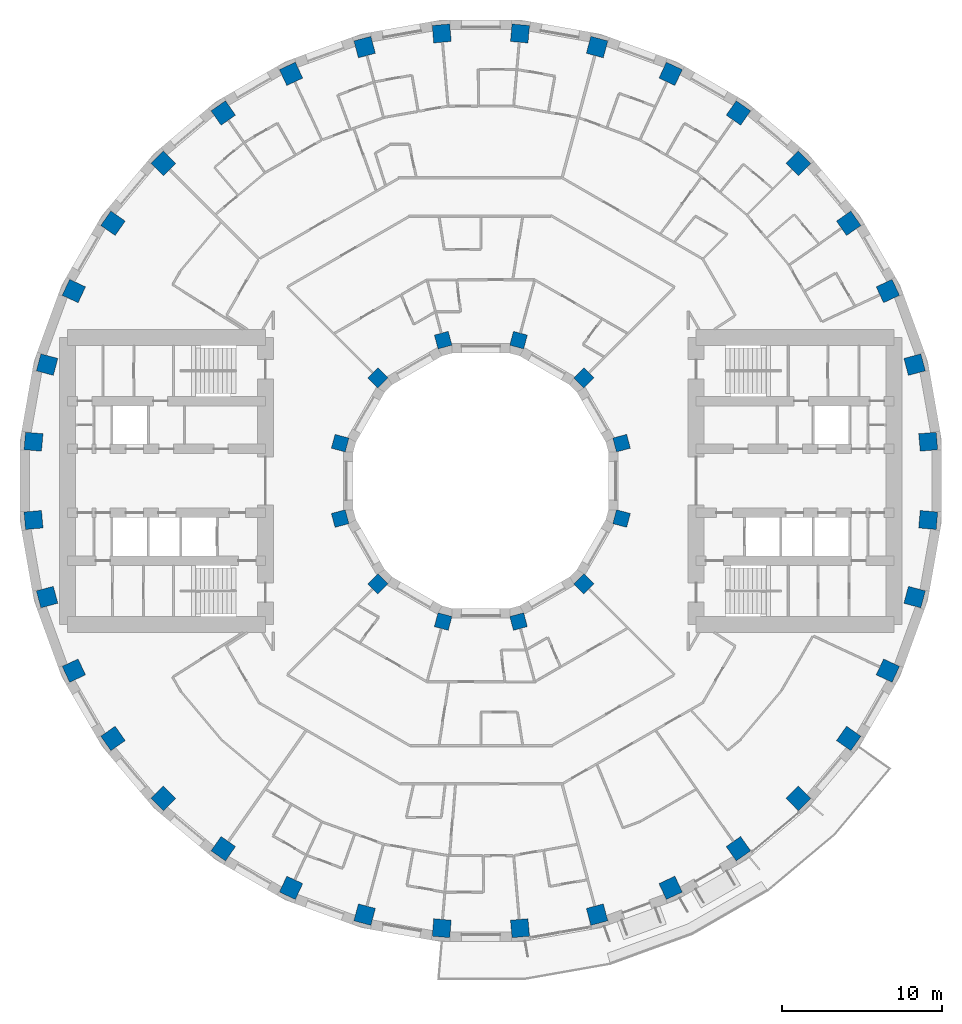
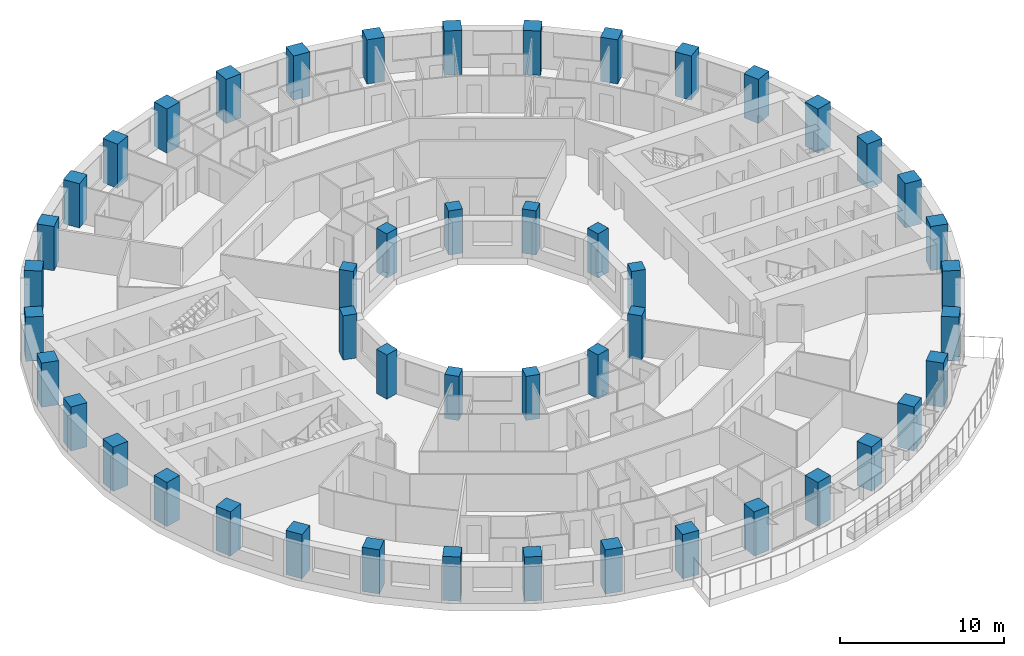
# One storey, part 1 of 17: 48 columns.
"""IFC4 building model written with IfcOpenShell, lengths in metres."""

from ifc_helpers import new_model, si_unit, direction, frame, origin, origin_2d, place, context, subcontext, project, spatial, rectangle, extrude, material, material_profile, profile_set, type_object, element, save


model = new_model("IFC4")

# Units and contexts
model_context = context("Model", 3, precision=1e-05, world=origin(), true_north=direction((0.0, 1.0)))
body_context = subcontext(model_context, "Body", "Model", "MODEL_VIEW")
ifc_project = project(units=[si_unit("LENGTHUNIT", "METRE"), si_unit("AREAUNIT", "SQUARE_METRE"), si_unit("VOLUMEUNIT", "CUBIC_METRE"), si_unit("PLANEANGLEUNIT", "RADIAN"), si_unit("MASSUNIT", "GRAM", prefix="KILO")], contexts=[model_context])

# Site, building, storey
site_placement = place(None, origin())
site = spatial("IfcSite", under=ifc_project, at=site_placement, CompositionType="ELEMENT")
building_placement = place(site_placement, origin())
building = spatial("IfcBuilding", under=site, at=building_placement, Name="Saqina Gate Tower", CompositionType="ELEMENT")
storey_placement = place(building_placement, frame((0.0, 0.0, 29.60009765625)))
storey = spatial("IfcBuildingStorey", under=building, at=storey_placement, Name="L07", CompositionType="ELEMENT", Elevation=29.60009765625)

# Columns
ifc_material_1 = material(Name="Concrete C70/85", Category="concrete")
ifc_material_profile_1 = material_profile(ifc_material_1, rectangle(XDim=0.89990234375, YDim=0.89990234375, at=origin_2d()), Name="RC 900x900")
ifc_profile_set_1 = profile_set([ifc_material_profile_1], Name="Concrete C70/85")
column_type_1 = type_object("IfcColumnType", Name="STR-COL-IN-A", PredefinedType="COLUMN", material=ifc_profile_set_1)
for number, where, z_axis, x_axis, name in (
    (1, (8.821044921875, 2.363525390625, 0.0), (0.0, 0.0, 1.0), (0.965925826289, 0.258819045103, 0.0), "L07-ICL01"),
    (2, (6.45751953125, 6.45751953125, 0.0), (0.0, 0.0, 1.0), (0.707106781187, 0.707106781187, 0.0), "L07-ICL02"),
    (3, (2.363525390625, 8.821044921875, 0.0), (0.0, 0.0, 1.0), (0.258819045103, 0.965925826289, 0.0), "L07-ICL03"),
    (4, (-2.363525390625, 8.821044921875, 0.0), (0.0, 0.0, 1.0), (-0.258819045103, 0.965925826289, 0.0), "L07-ICL04"),
    (5, (-6.45751953125, 6.45751953125, 0.0), (0.0, 0.0, 1.0), (-0.707106781187, 0.707106781187, 0.0), "L07-ICL05"),
    (6, (-8.821044921875, 2.363525390625, 0.0), (0.0, 0.0, 1.0), (-0.965925826289, 0.258819045103, 0.0), "L07-ICL06"),
    (7, (-8.821044921875, -2.363525390625, 0.0), (0.0, 0.0, 1.0), (-0.965925826289, -0.258819045103, 0.0), "L07-ICL07"),
    (8, (-6.45751953125, -6.45751953125, 0.0), (0.0, 0.0, 1.0), (-0.707106781187, -0.707106781187, 0.0), "L07-ICL08"),
    (9, (-2.363525390625, -8.821044921875, 0.0), (0.0, 0.0, 1.0), (-0.258819045103, -0.965925826289, 0.0), "L07-ICL09"),
    (10, (2.363525390625, -8.821044921875, 0.0), (0.0, 0.0, 1.0), (0.258819045103, -0.965925826289, 0.0), "L07-ICL10"),
    (11, (6.45751953125, -6.45751953125, 0.0), (0.0, 0.0, 1.0), (0.707106781187, -0.707106781187, 0.0), "L07-ICL11"),
    (12, (8.821044921875, -2.363525390625, 0.0), (0.0, 0.0, 1.0), (0.965925826289, -0.258819045103, 0.0), "L07-ICL12"),
):
    element("IfcColumn", number, at=place(storey_placement, frame(where, z_axis=z_axis, x_axis=x_axis)), inside=storey, type_object=column_type_1, Name=name, PredefinedType="COLUMN", context=body_context, shape_type="SweptSolid", body=[
        extrude(rectangle(XDim=0.89990234375, YDim=0.89990234375, at=origin_2d()), origin(), (0.0, 0.0, 1.0), 3.2998046875),
    ])
ifc_material_2 = material(Name="Concrete C70/85", Category="concrete")
ifc_material_profile_2 = material_profile(ifc_material_2, rectangle(XDim=1.10009765625, YDim=1.10009765625, at=origin_2d()), Name="RC 1100x1100")
ifc_profile_set_2 = profile_set([ifc_material_profile_2], Name="Concrete C70/85")
column_type_2 = type_object("IfcColumnType", Name="STR-COL-OUT-A", PredefinedType="COLUMN", material=ifc_profile_set_2)
for number, where, z_axis, x_axis, name in (
    (13, (28.04296875, 2.453369140625, 0.0), (0.0, 0.0, 1.0), (0.996194698092, 0.087155742748, 0.0), "L07-COL01"),
    (14, (27.19091796875, 7.28564453125, 0.0), (0.0, 0.0, 1.0), (0.965925826289, 0.258819045103, 0.0), "L07-COL02"),
    (15, (25.512451171875, 11.896728515625, 0.0), (0.0, 0.0, 1.0), (0.906307787037, 0.422618261741, 0.0), "L07-COL03"),
    (16, (23.05908203125, 16.146240234375, 0.0), (0.0, 0.0, 1.0), (0.819152044289, 0.573576436351, 0.0), "L07-COL04"),
    (17, (19.905029296875, 19.905029296875, 0.0), (0.0, 0.0, 1.0), (0.707106781187, 0.707106781187, 0.0), "L07-COL05"),
    (18, (16.146240234375, 23.05908203125, 0.0), (0.0, 0.0, 1.0), (0.573576436351, 0.819152044289, 0.0), "L07-COL06"),
    (19, (11.896728515625, 25.512451171875, 0.0), (0.0, 0.0, 1.0), (0.422618261741, 0.906307787037, 0.0), "L07-COL07"),
    (20, (7.28564453125, 27.19091796875, 0.0), (0.0, 0.0, 1.0), (0.258819045103, 0.965925826289, 0.0), "L07-COL08"),
    (21, (2.453369140625, 28.04296875, 0.0), (0.0, 0.0, 1.0), (0.087155742748, 0.996194698092, 0.0), "L07-COL09"),
    (22, (-2.453369140625, 28.04296875, 0.0), (0.0, 0.0, 1.0), (-0.087155742748, 0.996194698092, 0.0), "L07-COL10"),
    (23, (-7.28564453125, 27.19091796875, 0.0), (0.0, 0.0, 1.0), (-0.258819045103, 0.965925826289, 0.0), "L07-COL11"),
    (24, (-11.896728515625, 25.512451171875, 0.0), (0.0, 0.0, 1.0), (-0.422618261741, 0.906307787037, 0.0), "L07-COL12"),
    (25, (-16.146240234375, 23.05908203125, 0.0), (0.0, 0.0, 1.0), (-0.573576436351, 0.819152044289, 0.0), "L07-COL13"),
    (26, (-19.905029296875, 19.905029296875, 0.0), (0.0, 0.0, 1.0), (-0.707106781187, 0.707106781187, 0.0), "L07-COL14"),
    (27, (-23.05908203125, 16.146240234375, 0.0), (0.0, 0.0, 1.0), (-0.819152044289, 0.573576436351, 0.0), "L07-COL15"),
    (28, (-25.512451171875, 11.896728515625, 0.0), (0.0, 0.0, 1.0), (-0.906307787037, 0.422618261741, 0.0), "L07-COL16"),
    (29, (-27.19091796875, 7.28564453125, 0.0), (0.0, 0.0, 1.0), (-0.965925826289, 0.258819045103, 0.0), "L07-COL17"),
    (30, (-28.04296875, 2.453369140625, 0.0), (0.0, 0.0, 1.0), (-0.996194698092, 0.087155742748, 0.0), "L07-COL18"),
    (31, (-28.04296875, -2.453369140625, 0.0), (0.0, 0.0, 1.0), (-0.996194698092, -0.087155742748, 0.0), "L07-COL19"),
    (32, (-27.19091796875, -7.28564453125, 0.0), (0.0, 0.0, 1.0), (-0.965925826289, -0.258819045103, 0.0), "L07-COL20"),
    (33, (-25.512451171875, -11.896728515625, 0.0), (0.0, 0.0, 1.0), (-0.906307787037, -0.422618261741, 0.0), "L07-COL21"),
    (34, (-23.05908203125, -16.146240234375, 0.0), (0.0, 0.0, 1.0), (-0.819152044289, -0.573576436351, 0.0), "L07-COL22"),
    (35, (-19.905029296875, -19.905029296875, 0.0), (0.0, 0.0, 1.0), (-0.707106781187, -0.707106781187, 0.0), "L07-COL23"),
    (36, (-16.146240234375, -23.05908203125, 0.0), (0.0, 0.0, 1.0), (-0.573576436351, -0.819152044289, 0.0), "L07-COL24"),
    (37, (-11.896728515625, -25.512451171875, 0.0), (0.0, 0.0, 1.0), (-0.422618261741, -0.906307787037, 0.0), "L07-COL25"),
    (38, (-7.28564453125, -27.19091796875, 0.0), (0.0, 0.0, 1.0), (-0.258819045103, -0.965925826289, 0.0), "L07-COL26"),
    (39, (-2.453369140625, -28.04296875, 0.0), (0.0, 0.0, 1.0), (-0.087155742748, -0.996194698092, 0.0), "L07-COL27"),
    (40, (2.453369140625, -28.04296875, 0.0), (0.0, 0.0, 1.0), (0.087155742748, -0.996194698092, 0.0), "L07-COL28"),
    (41, (7.28564453125, -27.19091796875, 0.0), (0.0, 0.0, 1.0), (0.258819045103, -0.965925826289, 0.0), "L07-COL29"),
    (42, (11.896728515625, -25.512451171875, 0.0), (0.0, 0.0, 1.0), (0.422618261741, -0.906307787037, 0.0), "L07-COL30"),
    (43, (16.146240234375, -23.05908203125, 0.0), (0.0, 0.0, 1.0), (0.573576436351, -0.819152044289, 0.0), "L07-COL31"),
    (44, (19.905029296875, -19.905029296875, 0.0), (0.0, 0.0, 1.0), (0.707106781187, -0.707106781187, 0.0), "L07-COL32"),
    (45, (23.05908203125, -16.146240234375, 0.0), (0.0, 0.0, 1.0), (0.819152044289, -0.573576436351, 0.0), "L07-COL33"),
    (46, (25.512451171875, -11.896728515625, 0.0), (0.0, 0.0, 1.0), (0.906307787037, -0.422618261741, 0.0), "L07-COL34"),
    (47, (27.19091796875, -7.28564453125, 0.0), (0.0, 0.0, 1.0), (0.965925826289, -0.258819045103, 0.0), "L07-COL35"),
    (48, (28.04296875, -2.453369140625, 0.0), (0.0, 0.0, 1.0), (0.996194698092, -0.087155742748, 0.0), "L07-COL36"),
):
    element("IfcColumn", number, at=place(storey_placement, frame(where, z_axis=z_axis, x_axis=x_axis)), inside=storey, type_object=column_type_2, Name=name, PredefinedType="COLUMN", context=body_context, shape_type="SweptSolid", body=[
        extrude(rectangle(XDim=1.10009765625, YDim=1.10009765625, at=origin_2d()), origin(), (0.0, 0.0, 1.0), 3.2998046875),
    ])

save(model, "model.ifc")
